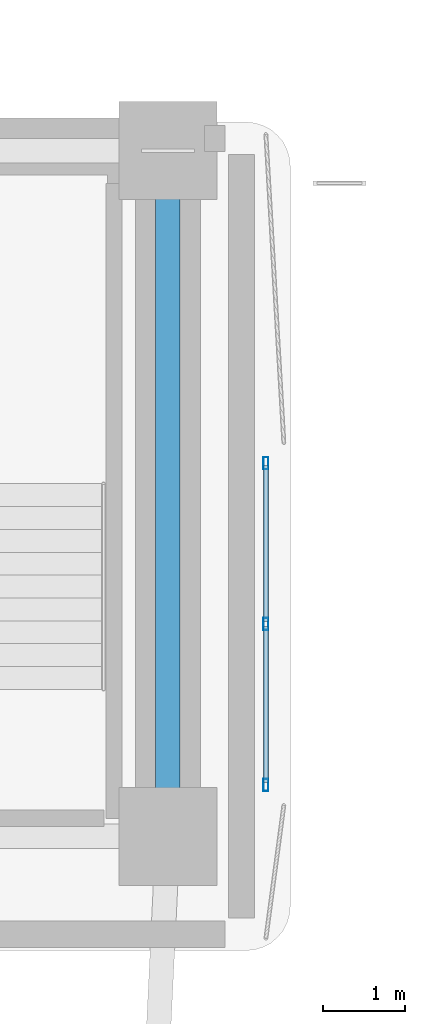
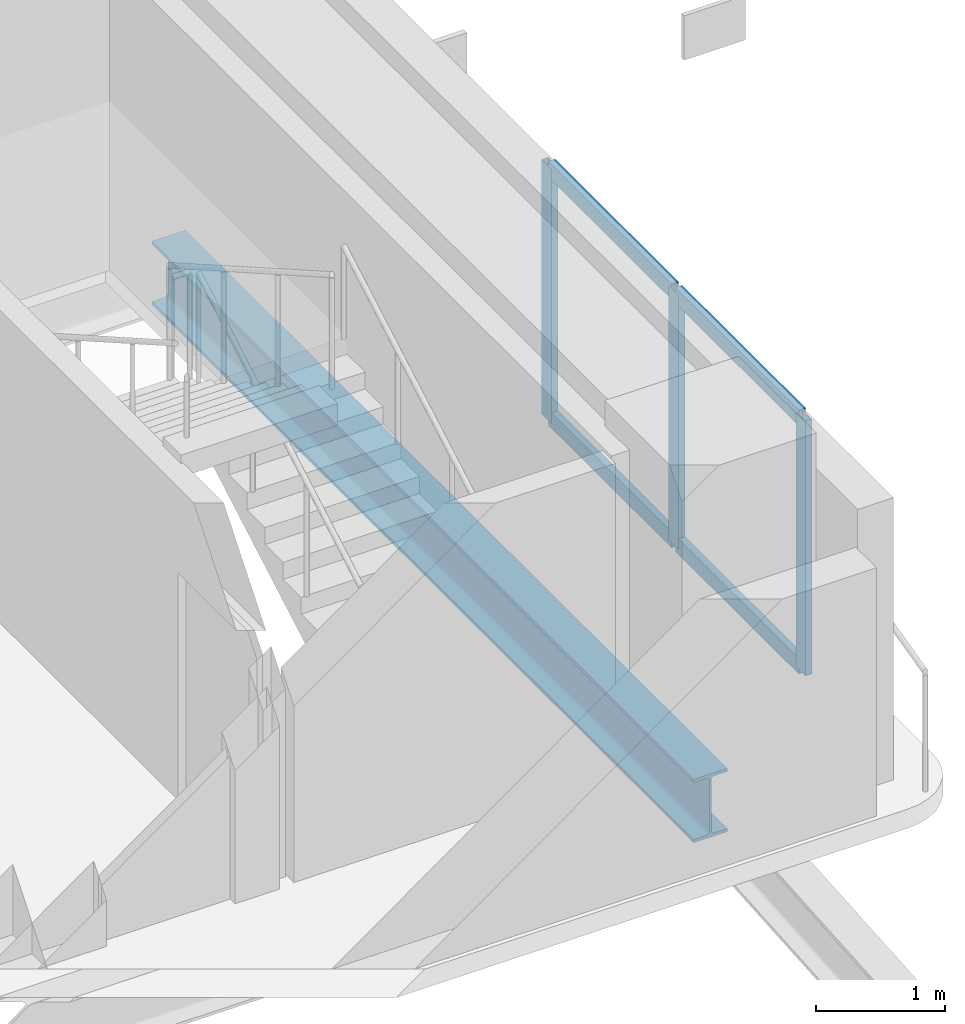
# One storey, part 2 of 14: 7 members, 1 beam, 1 element without a shape of its own.
"""IFC4 building model written with IfcOpenShell, lengths in metres."""

from ifc_helpers import new_model, si_unit, direction, frame, origin, origin_2d, place, context, subcontext, project, spatial, hollow_rectangle, i_section, extrude, material, material_profile, profile_set, type_object, element, aggregate, save


model = new_model("IFC4")

# Units and contexts
model_context = context("Model", 3, precision=1e-05, world=origin(), true_north=direction((0.0, 1.0)))
body_context = subcontext(model_context, "Body", "Model", "MODEL_VIEW")
ifc_project = project(units=[si_unit("LENGTHUNIT", "METRE"), si_unit("AREAUNIT", "SQUARE_METRE"), si_unit("VOLUMEUNIT", "CUBIC_METRE"), si_unit("PLANEANGLEUNIT", "RADIAN"), si_unit("MASSUNIT", "GRAM", prefix="KILO")], contexts=[model_context])

# Site, building, storey
site_placement = place(None, origin())
site = spatial("IfcSite", under=ifc_project, at=site_placement, CompositionType="ELEMENT")
building_placement = place(site_placement, origin())
building = spatial("IfcBuilding", under=site, at=building_placement, Name="Kuzgunbayir Cultural Tower", CompositionType="ELEMENT")
storey_placement = place(building_placement, frame((0.0, 0.0, 36.60009765625)))
storey = spatial("IfcBuildingStorey", under=building, at=storey_placement, Name="L09", CompositionType="ELEMENT", Elevation=36.60009765625)

# Beam
ifc_material_1 = material(Name="Steel S355J2", Category="steel")
ifc_material_profile_1 = material_profile(ifc_material_1, i_section(OverallWidth=0.300048828125, OverallDepth=0.60009765625, WebThickness=0.015380859375, FlangeThickness=0.030029296875, FilletRadius=0.027099609375, at=origin_2d()), Name="HEB 600")
ifc_profile_set_1 = profile_set([ifc_material_profile_1], Name="Steel S355J2")
beam_type = type_object("IfcBeamType", Name="BM-GIR-HEB600", PredefinedType="BEAM", material=ifc_profile_set_1)
beam_placement = place(storey_placement, frame((26.89990234375, 33.800048828125, -0.47998046875), z_axis=(0.0, 1.0, 0.0), x_axis=(-1.0, 0.0, 0.0)))
element("IfcBeam", 1, at=beam_placement, inside=storey, type_object=beam_type, Name="L09 Core East Edge Girder", PredefinedType="BEAM", context=body_context, shape_type="SweptSolid", body=[
    extrude(i_section(OverallWidth=0.300048828125, OverallDepth=0.60009765625, WebThickness=0.015380859375, FlangeThickness=0.030029296875, FilletRadius=0.027099609375, at=origin_2d()), origin(), (0.0, 0.0, 1.0), 8.39990234375),
])

# Curtain wall, members
ifc_material_2 = material(Name="Anodised Aluminium Framing", Category="aluminium")
curtain_wall_type = type_object("IfcCurtainWallType", Name="CW02-PORTAL-SOFFIT", PredefinedType="NOTDEFINED", material=ifc_material_2)
curtain_wall_placement = place(storey_placement, origin())
curtain_wall = element("IfcCurtainWall", 2, at=curtain_wall_placement, inside=storey, type_object=curtain_wall_type, Name="L09 Void-Portal West Jamb Curtain Wall", PredefinedType="NOTDEFINED")
ifc_material_profile_2 = material_profile(ifc_material_2, hollow_rectangle(XDim=0.06005859375, YDim=0.14990234375, WallThickness=0.00390625, at=origin_2d()), Name="RHS 150x60x4")
ifc_profile_set_2 = profile_set([ifc_material_profile_2], Name="Anodised Aluminium Framing")
member_type_1 = type_object("IfcMemberType", Name="MEM-CW-MULLION-150", PredefinedType="MULLION", material=ifc_profile_set_2)
member_1_placement = place(storey_placement, frame((28.10009765625, 34.429931640625, 0.0), z_axis=(0.0, 0.0, 1.0), x_axis=(-1.0, 0.0, 0.0)))
member_1 = element("IfcMember", 3, at=member_1_placement, type_object=member_type_1, Name="CW02 mullion 1", PredefinedType="MULLION", context=body_context, shape_type="SweptSolid", body=[
    extrude(hollow_rectangle(XDim=0.06005859375, YDim=0.14990234375, WallThickness=0.00390625, at=origin_2d()), origin(), (0.0, 0.0, 1.0), 2.409912109375),
])
member_2_placement = place(storey_placement, frame((28.10009765625, 36.39990234375, 0.0), z_axis=(0.0, 0.0, 1.0), x_axis=(-1.0, 0.0, 0.0)))
member_2 = element("IfcMember", 4, at=member_2_placement, type_object=member_type_1, Name="CW02 mullion 2", PredefinedType="MULLION", context=body_context, shape_type="SweptSolid", body=[
    extrude(hollow_rectangle(XDim=0.06005859375, YDim=0.14990234375, WallThickness=0.00390625, at=origin_2d()), origin(), (0.0, 0.0, 1.0), 2.409912109375),
])
member_3_placement = place(storey_placement, frame((28.10009765625, 38.3701171875, 0.0), z_axis=(0.0, 0.0, 1.0), x_axis=(-1.0, 0.0, 0.0)))
member_3 = element("IfcMember", 5, at=member_3_placement, type_object=member_type_1, Name="CW02 mullion 3", PredefinedType="MULLION", context=body_context, shape_type="SweptSolid", body=[
    extrude(hollow_rectangle(XDim=0.06005859375, YDim=0.14990234375, WallThickness=0.00390625, at=origin_2d()), origin(), (0.0, 0.0, 1.0), 2.409912109375),
])
ifc_material_profile_3 = material_profile(ifc_material_2, hollow_rectangle(XDim=0.06005859375, YDim=0.14990234375, WallThickness=0.00390625, at=origin_2d()), Name="RHS 150x60x4")
ifc_profile_set_3 = profile_set([ifc_material_profile_3], Name="Anodised Aluminium Framing")
member_type_2 = type_object("IfcMemberType", Name="MEM-CW-TRANSOM-150", PredefinedType="USERDEFINED", material=ifc_profile_set_3)
member_4_placement = place(storey_placement, frame((28.10009765625, 34.4599609375, 0.02978515625), z_axis=(0.0, 1.0, 0.0), x_axis=(-1.0, 0.0, 0.0)))
member_4 = element("IfcMember", 6, at=member_4_placement, type_object=member_type_2, Name="CW02 transom 1.1", ObjectType="TRANSOM", PredefinedType="USERDEFINED", context=body_context, shape_type="SweptSolid", body=[
    extrude(hollow_rectangle(XDim=0.06005859375, YDim=0.14990234375, WallThickness=0.00390625, at=origin_2d()), origin(), (0.0, 0.0, 1.0), 1.91015625),
])
member_5_placement = place(storey_placement, frame((28.10009765625, 34.4599609375, 2.3798828125), z_axis=(0.0, 1.0, 0.0), x_axis=(-1.0, 0.0, 0.0)))
member_5 = element("IfcMember", 7, at=member_5_placement, type_object=member_type_2, Name="CW02 transom 1.2", ObjectType="TRANSOM", PredefinedType="USERDEFINED", context=body_context, shape_type="SweptSolid", body=[
    extrude(hollow_rectangle(XDim=0.06005859375, YDim=0.14990234375, WallThickness=0.00390625, at=origin_2d()), origin(), (0.0, 0.0, 1.0), 1.91015625),
])
member_6_placement = place(storey_placement, frame((28.10009765625, 36.429931640625, 0.02978515625), z_axis=(0.0, 1.0, 0.0), x_axis=(-1.0, 0.0, 0.0)))
member_6 = element("IfcMember", 8, at=member_6_placement, type_object=member_type_2, Name="CW02 transom 2.1", ObjectType="TRANSOM", PredefinedType="USERDEFINED", context=body_context, shape_type="SweptSolid", body=[
    extrude(hollow_rectangle(XDim=0.06005859375, YDim=0.14990234375, WallThickness=0.00390625, at=origin_2d()), origin(), (0.0, 0.0, 1.0), 1.91015625),
])
member_7_placement = place(storey_placement, frame((28.10009765625, 36.429931640625, 2.3798828125), z_axis=(0.0, 1.0, 0.0), x_axis=(-1.0, 0.0, 0.0)))
member_7 = element("IfcMember", 9, at=member_7_placement, type_object=member_type_2, Name="CW02 transom 2.2", ObjectType="TRANSOM", PredefinedType="USERDEFINED", context=body_context, shape_type="SweptSolid", body=[
    extrude(hollow_rectangle(XDim=0.06005859375, YDim=0.14990234375, WallThickness=0.00390625, at=origin_2d()), origin(), (0.0, 0.0, 1.0), 1.91015625),
])
aggregate(curtain_wall, [member_1, member_2, member_3, member_4, member_5, member_6, member_7])

save(model, "model.ifc")
